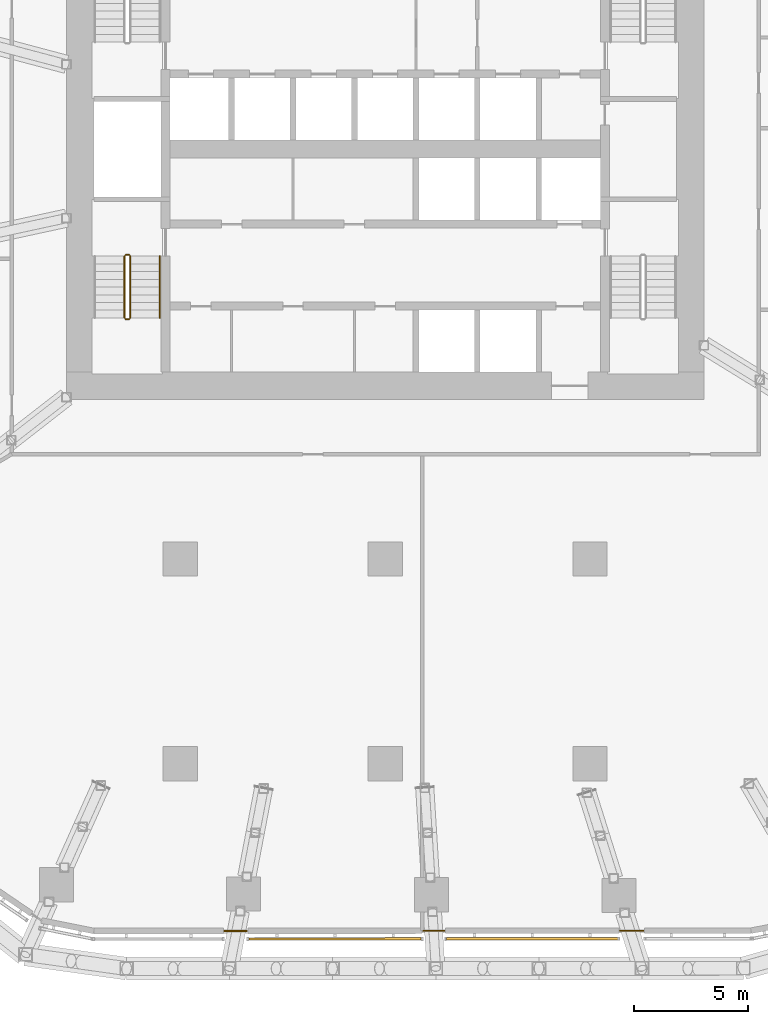
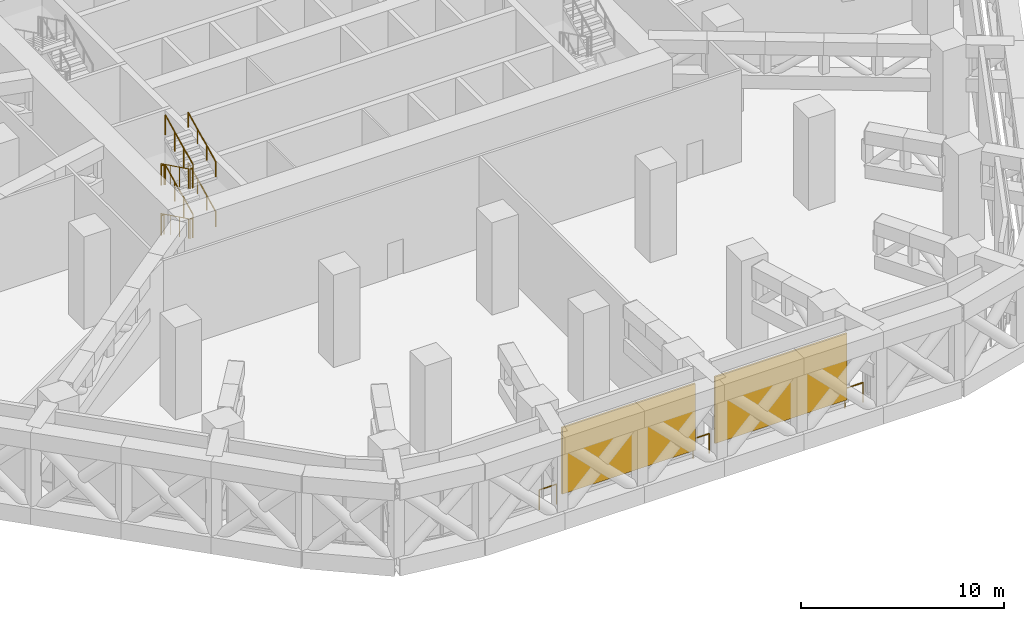
# One storey, part 32 of 38: 13 railings, 2 coverings, 1 element without a shape of its own.
"""IFC4 building model written with IfcOpenShell, lengths in metres."""

from ifc_helpers import new_model, si_unit, direction, frame, origin, origin_2d, place, context, subcontext, project, spatial, rectangle, circle, extrude, material, layer, layer_set, type_object, element, aggregate, save


model = new_model("IFC4")

# Units and contexts
model_context = context("Model", 3, precision=1e-05, world=origin(), true_north=direction((0.0, 1.0)))
body_context = subcontext(model_context, "Body", "Model", "MODEL_VIEW")
ifc_project = project(units=[si_unit("LENGTHUNIT", "METRE"), si_unit("AREAUNIT", "SQUARE_METRE"), si_unit("VOLUMEUNIT", "CUBIC_METRE"), si_unit("PLANEANGLEUNIT", "RADIAN"), si_unit("MASSUNIT", "GRAM", prefix="KILO")], contexts=[model_context])

# Site, building, storey
site_placement = place(None, origin())
site = spatial("IfcSite", under=ifc_project, at=site_placement, CompositionType="ELEMENT")
building_placement = place(site_placement, origin())
building = spatial("IfcBuilding", under=site, at=building_placement, Name="Dongbaek Canopy Tower", CompositionType="ELEMENT")
storey_placement = place(building_placement, frame((0.0, 0.0, 89.199951171875)))
storey = spatial("IfcBuildingStorey", under=building, at=storey_placement, Name="L18", CompositionType="ELEMENT", Elevation=89.199951171875)

# Curtain wall, coverings
ifc_material_1 = material(Name="Aluminium 6063-T6 pale anodised", Category="aluminium")
ifc_layer_1 = layer(ifc_material_1, 0.14990234375)
ifc_layer_set_1 = layer_set([ifc_layer_1], Name="CW-7 louvre curtain wall")
curtain_wall_type = type_object("IfcCurtainWallType", Name="CW-7 louvre curtain wall", PredefinedType="NOTDEFINED", material=ifc_layer_set_1)
curtain_wall_placement = place(storey_placement, origin())
curtain_wall = element("IfcCurtainWall", 1, at=curtain_wall_placement, inside=storey, type_object=curtain_wall_type, Name="CW-7 louvre wall L18 F4", PredefinedType="NOTDEFINED")
ifc_material_2 = material(Name="Aluminium 6063-T6 pale metal louvre blades", Category="aluminium")
ifc_layer_2 = layer(ifc_material_2, 0.10009765625)
ifc_layer_set_2 = layer_set([ifc_layer_2], Name="Louvre LV bank 100 x 4000")
covering_type = type_object("IfcCoveringType", Name="Louvre LV bank 100 x 4000", PredefinedType="CLADDING", material=ifc_layer_set_2)
covering_1_placement = place(storey_placement, frame((-2.20361328125, -34.69482421875, 0.775146484375), z_axis=(0.0, 0.0, 1.0), x_axis=(0.999999862689, 0.000524044387, 0.0)))
covering_1 = element("IfcCovering", 2, at=covering_1_placement, type_object=covering_type, Name="Louvre L18 F4.2.1", PredefinedType="CLADDING", context=body_context, shape_type="SweptSolid", body=[
    extrude(rectangle(XDim=7.567138671875, YDim=0.10009765625, at=origin_2d()), origin(), (0.0, 0.0, 1.0), 4.0),
])
covering_2_placement = place(storey_placement, frame((6.456787109375, -34.690185546875, 0.775146484375), z_axis=(0.0, 0.0, 1.0), x_axis=(0.999999862689, 0.000524044387, 0.0)))
covering_2 = element("IfcCovering", 3, at=covering_2_placement, type_object=covering_type, Name="Louvre L18 F4.3.1", PredefinedType="CLADDING", context=body_context, shape_type="SweptSolid", body=[
    extrude(rectangle(XDim=7.52099609375, YDim=0.10009765625, at=origin_2d()), origin(), (0.0, 0.0, 1.0), 4.0),
])
aggregate(curtain_wall, [covering_1, covering_2])

# Railings
ifc_material_3 = material(Name="Stainless steel", Category="steel")
railing_type_1 = type_object("IfcRailingType", Name="Plant opening guard 1200", PredefinedType="GUARDRAIL", material=ifc_material_3)
railing_1_placement = place(storey_placement, frame((-7.063232421875, -34.34716796875, 0.0)))
element("IfcRailing", 4, at=railing_1_placement, inside=storey, type_object=railing_type_1, Name="Plant opening guard L18 F4 1", PredefinedType="GUARDRAIL", context=body_context, shape_type="SweptSolid", body=[
    extrude(circle(Radius=0.02392578125, at=origin_2d()), frame((0.0, 0.0, 1.17578125), z_axis=(0.999999876117, 0.000497760018, 0.0), x_axis=(-0.000497760018, 0.999999876117, 0.0)), (0.0, 0.0, 1.0), 0.98095703125),
    extrude(circle(Radius=0.02099609375, at=origin_2d()), origin(), (0.0, 0.0, 1.0), 1.15185546875),
    extrude(circle(Radius=0.02099609375, at=origin_2d()), frame((0.98095703125, 0.00048828125, 0.0)), (0.0, 0.0, 1.0), 1.15185546875),
])
railing_2_placement = place(storey_placement, frame((1.675048828125, -34.3427734375, 0.0)))
element("IfcRailing", 5, at=railing_2_placement, inside=storey, type_object=railing_type_1, Name="Plant opening guard L18 F4 2", PredefinedType="GUARDRAIL", context=body_context, shape_type="SweptSolid", body=[
    extrude(circle(Radius=0.02392578125, at=origin_2d()), frame((0.0, 0.0, 1.17578125), z_axis=(0.999999860984, 0.000527287035, 0.0), x_axis=(-0.000527287035, 0.999999860984, 0.0)), (0.0, 0.0, 1.0), 0.926025390625),
    extrude(circle(Radius=0.02099609375, at=origin_2d()), origin(), (0.0, 0.0, 1.0), 1.15185546875),
    extrude(circle(Radius=0.02099609375, at=origin_2d()), frame((0.926025390625, 0.00048828125, 0.0)), (0.0, 0.0, 1.0), 1.15185546875),
])
railing_3_placement = place(storey_placement, frame((10.31201171875, -34.338134765625, 0.0)))
element("IfcRailing", 6, at=railing_3_placement, inside=storey, type_object=railing_type_1, Name="Plant opening guard L18 F4 3", PredefinedType="GUARDRAIL", context=body_context, shape_type="SweptSolid", body=[
    extrude(circle(Radius=0.02392578125, at=origin_2d()), frame((0.0, 0.0, 1.17578125), z_axis=(0.999999888277, 0.000472701436, 0.0), x_axis=(-0.000472701436, 0.999999888277, 0.0)), (0.0, 0.0, 1.0), 1.032958984375),
    extrude(circle(Radius=0.02099609375, at=origin_2d()), origin(), (0.0, 0.0, 1.0), 1.15185546875),
    extrude(circle(Radius=0.02099609375, at=origin_2d()), frame((1.032958984375, 0.00048828125, 0.0)), (0.0, 0.0, 1.0), 1.15185546875),
])
ifc_material_4 = material(Name="Stainless steel tube and balusters", Category="steel")
railing_type_2 = type_object("IfcRailingType", Name="Stair guard 1200", PredefinedType="GUARDRAIL", material=ifc_material_4)
railing_4_placement = place(storey_placement, frame((-11.449951171875, -4.699951171875, 0.166748046875)))
element("IfcRailing", 7, at=railing_4_placement, inside=storey, type_object=railing_type_2, Name="L18 ST-D stair guard 1", PredefinedType="GUARDRAIL", context=body_context, shape_type="SweptSolid", body=[
    extrude(circle(Radius=0.02392578125, at=origin_2d()), frame((0.0, 0.0, 1.17578125), z_axis=(0.0, -0.897929466783, 0.4401393787), x_axis=(1.0, 0.0, 0.0)), (0.0, 0.0, 1.0), 3.029052734375),
    extrude(circle(Radius=0.02099609375, at=origin_2d()), origin(), (0.0, 0.0, 1.0), 1.15185546875),
    extrude(circle(Radius=0.02099609375, at=origin_2d()), frame((0.0, -0.90673828125, 0.4443359375)), (0.0, 0.0, 1.0), 1.15185546875),
    extrude(circle(Radius=0.02099609375, at=origin_2d()), frame((0.0, -1.813232421875, 0.888916015625)), (0.0, 0.0, 1.0), 1.15185546875),
    extrude(circle(Radius=0.02099609375, at=origin_2d()), frame((0.0, -2.719970703125, 1.333251953125)), (0.0, 0.0, 1.0), 1.15185546875),
])
railing_5_placement = place(storey_placement, frame((-11.39990234375, -7.469970703125, 1.5)))
element("IfcRailing", 8, at=railing_5_placement, inside=storey, type_object=railing_type_2, Name="L18 ST-D stair guard 2", PredefinedType="GUARDRAIL", context=body_context, shape_type="SweptSolid", body=[
    extrude(circle(Radius=0.02392578125, at=origin_2d()), frame((0.0, 0.0, 1.17578125), z_axis=(1.0, 0.0, 0.0), x_axis=(0.0, 1.0, 0.0)), (0.0, 0.0, 1.0), 0.14990234375),
    extrude(circle(Radius=0.02099609375, at=origin_2d()), origin(), (0.0, 0.0, 1.0), 1.15185546875),
    extrude(circle(Radius=0.02099609375, at=origin_2d()), frame((0.14990234375, 0.0, 0.0)), (0.0, 0.0, 1.0), 1.15185546875),
])
railing_6_placement = place(storey_placement, frame((-11.199951171875, -7.419921875, 1.666748046875)))
element("IfcRailing", 9, at=railing_6_placement, inside=storey, type_object=railing_type_2, Name="L18 ST-D stair guard 3", PredefinedType="GUARDRAIL", context=body_context, shape_type="SweptSolid", body=[
    extrude(circle(Radius=0.02392578125, at=origin_2d()), frame((0.0, 0.0, 1.17578125), z_axis=(0.0, 0.897929466783, 0.4401393787), x_axis=(-1.0, 0.0, 0.0)), (0.0, 0.0, 1.0), 3.029052734375),
    extrude(circle(Radius=0.02099609375, at=origin_2d()), origin(), (0.0, 0.0, 1.0), 1.15185546875),
    extrude(circle(Radius=0.02099609375, at=origin_2d()), frame((0.0, 0.90673828125, 0.4443359375)), (0.0, 0.0, 1.0), 1.15185546875),
    extrude(circle(Radius=0.02099609375, at=origin_2d()), frame((0.0, 1.813232421875, 0.888916015625)), (0.0, 0.0, 1.0), 1.15185546875),
    extrude(circle(Radius=0.02099609375, at=origin_2d()), frame((0.0, 2.719970703125, 1.333251953125)), (0.0, 0.0, 1.0), 1.15185546875),
])
railing_7_placement = place(storey_placement, frame((-11.39990234375, -4.64990234375, 3.0)))
element("IfcRailing", 10, at=railing_7_placement, inside=storey, type_object=railing_type_2, Name="L18 ST-D stair guard 4", PredefinedType="GUARDRAIL", context=body_context, shape_type="SweptSolid", body=[
    extrude(circle(Radius=0.02392578125, at=origin_2d()), frame((0.0, 0.0, 1.17578125), z_axis=(1.0, 0.0, 0.0), x_axis=(0.0, 1.0, 0.0)), (0.0, 0.0, 1.0), 0.14990234375),
    extrude(circle(Radius=0.02099609375, at=origin_2d()), origin(), (0.0, 0.0, 1.0), 1.15185546875),
    extrude(circle(Radius=0.02099609375, at=origin_2d()), frame((0.14990234375, 0.0, 0.0)), (0.0, 0.0, 1.0), 1.15185546875),
])
railing_8_placement = place(storey_placement, frame((-11.449951171875, -4.699951171875, 3.166748046875)))
element("IfcRailing", 11, at=railing_8_placement, inside=storey, type_object=railing_type_2, Name="L18 ST-D stair guard 5", PredefinedType="GUARDRAIL", context=body_context, shape_type="SweptSolid", body=[
    extrude(circle(Radius=0.02392578125, at=origin_2d()), frame((0.0, 0.0, 1.17578125), z_axis=(0.0, -0.897929466783, 0.4401393787), x_axis=(1.0, 0.0, 0.0)), (0.0, 0.0, 1.0), 3.029052734375),
    extrude(circle(Radius=0.02099609375, at=origin_2d()), origin(), (0.0, 0.0, 1.0), 1.15185546875),
    extrude(circle(Radius=0.02099609375, at=origin_2d()), frame((0.0, -0.90673828125, 0.4443359375)), (0.0, 0.0, 1.0), 1.15185546875),
    extrude(circle(Radius=0.02099609375, at=origin_2d()), frame((0.0, -1.813232421875, 0.888916015625)), (0.0, 0.0, 1.0), 1.15185546875),
    extrude(circle(Radius=0.02099609375, at=origin_2d()), frame((0.0, -2.719970703125, 1.333251953125)), (0.0, 0.0, 1.0), 1.15185546875),
])
railing_9_placement = place(storey_placement, frame((-11.39990234375, -7.469970703125, 4.5)))
element("IfcRailing", 12, at=railing_9_placement, inside=storey, type_object=railing_type_2, Name="L18 ST-D stair guard 6", PredefinedType="GUARDRAIL", context=body_context, shape_type="SweptSolid", body=[
    extrude(circle(Radius=0.02392578125, at=origin_2d()), frame((0.0, 0.0, 1.17578125), z_axis=(1.0, 0.0, 0.0), x_axis=(0.0, 1.0, 0.0)), (0.0, 0.0, 1.0), 0.14990234375),
    extrude(circle(Radius=0.02099609375, at=origin_2d()), origin(), (0.0, 0.0, 1.0), 1.15185546875),
    extrude(circle(Radius=0.02099609375, at=origin_2d()), frame((0.14990234375, 0.0, 0.0)), (0.0, 0.0, 1.0), 1.15185546875),
])
railing_10_placement = place(storey_placement, frame((-11.199951171875, -7.419921875, 4.666748046875)))
element("IfcRailing", 13, at=railing_10_placement, inside=storey, type_object=railing_type_2, Name="L18 ST-D stair guard 7", PredefinedType="GUARDRAIL", context=body_context, shape_type="SweptSolid", body=[
    extrude(circle(Radius=0.02392578125, at=origin_2d()), frame((0.0, 0.0, 1.17578125), z_axis=(0.0, 0.897929466783, 0.4401393787), x_axis=(-1.0, 0.0, 0.0)), (0.0, 0.0, 1.0), 3.029052734375),
    extrude(circle(Radius=0.02099609375, at=origin_2d()), origin(), (0.0, 0.0, 1.0), 1.15185546875),
    extrude(circle(Radius=0.02099609375, at=origin_2d()), frame((0.0, 0.90673828125, 0.4443359375)), (0.0, 0.0, 1.0), 1.15185546875),
    extrude(circle(Radius=0.02099609375, at=origin_2d()), frame((0.0, 1.813232421875, 0.888916015625)), (0.0, 0.0, 1.0), 1.15185546875),
    extrude(circle(Radius=0.02099609375, at=origin_2d()), frame((0.0, 2.719970703125, 1.333251953125)), (0.0, 0.0, 1.0), 1.15185546875),
])
railing_11_placement = place(storey_placement, frame((-11.39990234375, -4.64990234375, 0.0)))
element("IfcRailing", 14, at=railing_11_placement, inside=storey, type_object=railing_type_2, Name="L18 ST-D stair guard 8", PredefinedType="GUARDRAIL", context=body_context, shape_type="SweptSolid", body=[
    extrude(circle(Radius=0.02392578125, at=origin_2d()), frame((0.0, 0.0, 1.17578125), z_axis=(1.0, 0.0, 0.0), x_axis=(0.0, 1.0, 0.0)), (0.0, 0.0, 1.0), 0.14990234375),
    extrude(circle(Radius=0.02099609375, at=origin_2d()), origin(), (0.0, 0.0, 1.0), 1.15185546875),
    extrude(circle(Radius=0.02099609375, at=origin_2d()), frame((0.14990234375, 0.0, 0.0)), (0.0, 0.0, 1.0), 1.15185546875),
])
ifc_material_5 = material(Name="Stainless steel tube", Category="steel")
railing_type_3 = type_object("IfcRailingType", Name="Stair handrail 900", PredefinedType="HANDRAIL", material=ifc_material_5)
for number, where, name in (
    (15, (-9.89990234375, -7.419921875, 1.666748046875), "L18 ST-D stair handrail 2"),
    (16, (-9.89990234375, -7.419921875, 4.666748046875), "L18 ST-D stair handrail 4"),
):
    element("IfcRailing", number, at=place(storey_placement, frame(where)), inside=storey, type_object=railing_type_3, Name=name, PredefinedType="HANDRAIL", context=body_context, shape_type="SweptSolid", body=[
        extrude(circle(Radius=0.02392578125, at=origin_2d()), frame((0.0, 0.0, 0.8759765625), z_axis=(0.0, 0.897929466783, 0.4401393787), x_axis=(-1.0, 0.0, 0.0)), (0.0, 0.0, 1.0), 3.029052734375),
        extrude(circle(Radius=0.02099609375, at=origin_2d()), origin(), (0.0, 0.0, 1.0), 0.851806640625),
        extrude(circle(Radius=0.02099609375, at=origin_2d()), frame((0.0, 0.90673828125, 0.4443359375)), (0.0, 0.0, 1.0), 0.851806640625),
        extrude(circle(Radius=0.02099609375, at=origin_2d()), frame((0.0, 1.813232421875, 0.888916015625)), (0.0, 0.0, 1.0), 0.851806640625),
        extrude(circle(Radius=0.02099609375, at=origin_2d()), frame((0.0, 2.719970703125, 1.333251953125)), (0.0, 0.0, 1.0), 0.851806640625),
    ])

save(model, "model.ifc")
